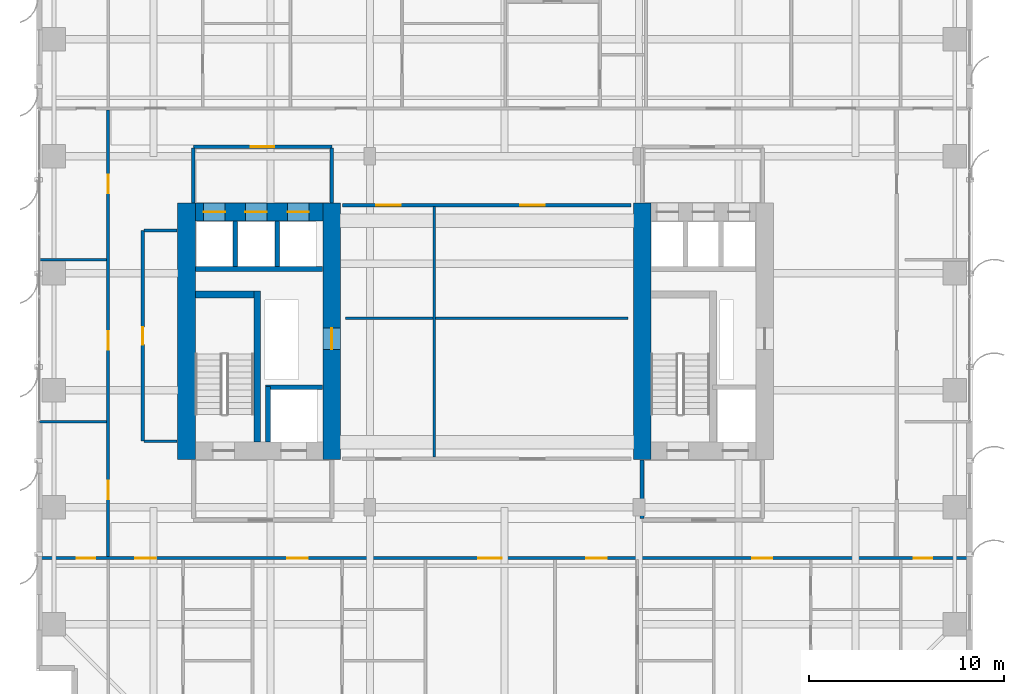
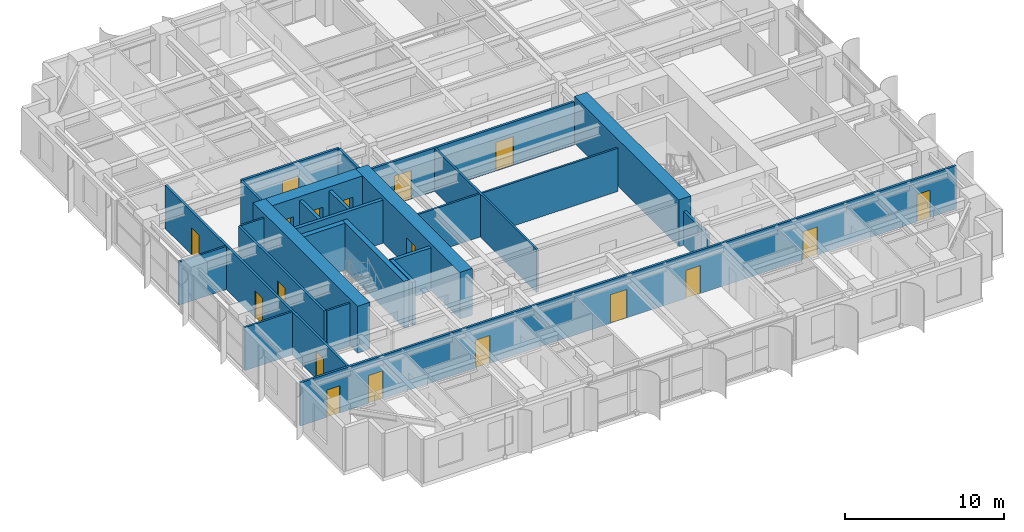
# One storey, part 16 of 23: 25 walls, 18 doors, 18 openings.
"""IFC4 building model written with IfcOpenShell, lengths in metres."""

import ifcopenshell
import ifcopenshell.guid

model = None  # the IFC model being written
_history = None  # IfcOwnerHistory: only IFC2X3 demands one
_inside = {}  # id of a spatial element -> (the spatial element, [elements in it])
_under = {}  # id of a project, library or spatial element -> (it, [spatial elements below it])
_declared = {}  # id of a project -> (the project, [libraries it declares])
_typed = {}  # id of a type object -> (the type object, [elements of that type])
_made_of = {}  # id of a material, layer set ... -> (it, [elements and type objects made of it])


def new_model(schema):
    """Start an empty IFC model of exactly this schema.

    Asked for "IFC4X3", IfcOpenShell would pick the latest addendum, in which some entities
    have other attributes; the version numbers below select the first issue.
    IFC2X3 requires an IfcOwnerHistory on every rooted entity: one is made here for all.
    """
    global model, _history
    if schema == "IFC4X3":
        model = ifcopenshell.file(schema_version=(4, 3, 0, 0))
    else:
        model = ifcopenshell.file(schema=schema)
    _inside.clear()
    _under.clear()
    _declared.clear()
    _typed.clear()
    _made_of.clear()
    _history = None
    if model.schema == "IFC2X3":
        org = make("IfcOrganization", Name="unknown")
        user = make(
            "IfcPersonAndOrganization",
            ThePerson=make("IfcPerson", FamilyName="unknown"),
            TheOrganization=org,
        )
        app = make(
            "IfcApplication",
            ApplicationDeveloper=org,
            Version="unknown",
            ApplicationFullName="unknown",
            ApplicationIdentifier="unknown",
        )
        _history = make(
            "IfcOwnerHistory",
            OwningUser=user,
            OwningApplication=app,
            ChangeAction="ADDED",
            CreationDate=0,
        )
    return model


def make(cls, **values):
    """One entity of the class cls with the attributes given. An attribute that is None is left unset."""
    return model.create_entity(
        cls, **{name: value for name, value in values.items() if value is not None}
    )


def rooted(cls, **values):
    """An entity with a GlobalId (a new one), such as an element, a storey or a relation."""
    return make(cls, GlobalId=ifcopenshell.guid.new(), OwnerHistory=_history, **values)


def si_unit(unit_type, name, prefix=None):
    """IfcSIUnit, for example si_unit("LENGTHUNIT", "METRE", prefix="MILLI")."""
    return make("IfcSIUnit", UnitType=unit_type, Prefix=prefix, Name=name)


def assignment(units):
    """IfcUnitAssignment: the units of a project."""
    return None if units is None else make("IfcUnitAssignment", Units=units)


def point(xyz):
    """IfcCartesianPoint."""
    return None if xyz is None else make("IfcCartesianPoint", Coordinates=xyz)


def direction(xyz):
    """IfcDirection."""
    return None if xyz is None else make("IfcDirection", DirectionRatios=xyz)


def frame(location, z_axis=None, x_axis=None):
    """IfcAxis2Placement3D, a coordinate frame: its origin and axes. An axis left out is left unset."""
    return make(
        "IfcAxis2Placement3D",
        Location=point(location),
        Axis=direction(z_axis),
        RefDirection=direction(x_axis),
    )


def frame_2d(location, x_axis=None):
    """IfcAxis2Placement2D, a coordinate frame in the plane: its origin and x axis."""
    return make(
        "IfcAxis2Placement2D", Location=point(location), RefDirection=direction(x_axis)
    )


def origin():
    """The frame at (0, 0, 0) with its axes left unset."""
    return frame((0.0, 0.0, 0.0))


def place(relative_to, where):
    """IfcLocalPlacement: puts the frame where relative to a parent placement (None: the world)."""
    return make(
        "IfcLocalPlacement", PlacementRelTo=relative_to, RelativePlacement=where
    )


def context(
    kind, dimensions, precision=None, world=None, true_north=None, identifier=None
):
    """IfcGeometricRepresentationContext, for example the 3D "Model" context."""
    return make(
        "IfcGeometricRepresentationContext",
        ContextIdentifier=identifier,
        ContextType=kind,
        CoordinateSpaceDimension=dimensions,
        Precision=precision,
        WorldCoordinateSystem=world,
        TrueNorth=true_north,
    )


def subcontext(parent, identifier, kind, view, scale=None):
    """IfcGeometricRepresentationSubContext, for example "Body" below "Model"."""
    return make(
        "IfcGeometricRepresentationSubContext",
        ContextIdentifier=identifier,
        ContextType=kind,
        ParentContext=parent,
        TargetScale=scale,
        TargetView=view,
    )


def project(units=None, contexts=None):
    """IfcProject with its units and contexts."""
    return rooted(
        "IfcProject",
        Name="project",
        RepresentationContexts=contexts,
        UnitsInContext=assignment(units),
    )


def spatial(cls, under=None, at=None, **own):
    """A site, building, storey or space (cls), placed at a placement, below another one or the project."""
    s = rooted(cls, ObjectPlacement=at, **own)
    if under is not None:
        _under.setdefault(under.id(), (under, []))[1].append(s)
    return s


def profile(cls, at=None, kind="AREA", **sizes):
    """A parametric profile (cls). Its sizes go by their IFC names, for example OverallWidth=200.0."""
    return make(cls, ProfileType=kind, Position=at, **sizes)


def rectangle(**sizes):
    """IfcRectangleProfileDef."""
    return profile("IfcRectangleProfileDef", **sizes)


def extrude(swept, where, along, depth):
    """IfcExtrudedAreaSolid: the profile swept, set in the frame where, extruded along a direction by depth."""
    return make(
        "IfcExtrudedAreaSolid",
        SweptArea=swept,
        Position=where,
        ExtrudedDirection=direction(along),
        Depth=depth,
    )


def shape(context_of_items, identifier, shape_type, items):
    """IfcShapeRepresentation: the items that make up one representation, for example the "Body"."""
    return make(
        "IfcShapeRepresentation",
        ContextOfItems=context_of_items,
        RepresentationIdentifier=identifier,
        RepresentationType=shape_type,
        Items=items,
    )


def source(mapping_origin, context_of_items, identifier, shape_type, items):
    """IfcRepresentationMap: a shape defined once, which mapped items show again and again."""
    return make(
        "IfcRepresentationMap",
        MappingOrigin=mapping_origin,
        MappedRepresentation=shape(context_of_items, identifier, shape_type, items),
    )


def transform(
    local_origin,
    x_axis=None,
    y_axis=None,
    z_axis=None,
    scale=None,
    scale2=None,
    scale3=None,
    uniform=True,
):
    """IfcCartesianTransformationOperator3D, or its non-uniform kind. x_axis, y_axis, z_axis: its Axis1, 2, 3."""
    if uniform:
        return make(
            "IfcCartesianTransformationOperator3D",
            Axis1=direction(x_axis),
            Axis2=direction(y_axis),
            LocalOrigin=point(local_origin),
            Scale=scale,
            Axis3=direction(z_axis),
        )
    return make(
        "IfcCartesianTransformationOperator3DnonUniform",
        Axis1=direction(x_axis),
        Axis2=direction(y_axis),
        LocalOrigin=point(local_origin),
        Scale=scale,
        Axis3=direction(z_axis),
        Scale2=scale2,
        Scale3=scale3,
    )


def mapped(mapping_source, mapping_target):
    """IfcMappedItem: shows the shape of a source again, moved by a transform."""
    return make(
        "IfcMappedItem", MappingSource=mapping_source, MappingTarget=mapping_target
    )


def material(Name=None, Category=None):
    """IfcMaterial."""
    return make("IfcMaterial", Name=Name, Category=Category)


def layer(
    of_material, thickness, ventilated=None, Name=None, Category=None, Priority=None
):
    """IfcMaterialLayer: one layer of a wall or slab, of a material (None: an air gap)."""
    return make(
        "IfcMaterialLayer",
        Material=of_material,
        LayerThickness=thickness,
        IsVentilated=ventilated,
        Name=Name,
        Category=Category,
        Priority=Priority,
    )


def layer_set(layers, Name=None):
    """IfcMaterialLayerSet."""
    return make("IfcMaterialLayerSet", MaterialLayers=layers, LayerSetName=Name)


def made_of(thing, what):
    """Note that an element or type object is made of a material, layer set ...; save() writes the relation."""
    if what is not None:
        _made_of.setdefault(what.id(), (what, []))[1].append(thing)
    return thing


def type_object(cls, material=None, **own):
    """A type object (cls), such as IfcWallType, which elements share."""
    return made_of(rooted(cls, **own), material)


def element(
    cls,
    number,
    at=None,
    inside=None,
    cuts=None,
    type_object=None,
    material=None,
    context=None,
    identifier="Body",
    shape_type=None,
    held_by="IfcProductDefinitionShape",
    body=None,
    shapes=None,
    **own,
):
    """One element of the class cls, such as IfcWall. Its Tag is "e" and its number.

    at: its placement. inside: the storey or other place that contains it. cuts: it is an
    opening in that element (IfcRelVoidsElement). A single representation is given by context,
    identifier, shape_type and body (its items); several are given by shapes. held_by: the class
    of the entity that holds the representations. save() writes the other relations.
    """
    e = rooted(cls, Tag="e%d" % number, ObjectPlacement=at, **own)
    if body is not None:
        shapes = [shape(context, identifier, shape_type, body)]
    if shapes is not None:
        e.Representation = make(held_by, Representations=shapes)
    if inside is not None:
        _inside.setdefault(inside.id(), (inside, []))[1].append(e)
    if cuts is not None:
        rooted(
            "IfcRelVoidsElement", RelatingBuildingElement=cuts, RelatedOpeningElement=e
        )
    if type_object is not None:
        _typed.setdefault(type_object.id(), (type_object, []))[1].append(e)
    return made_of(e, material)


def fill(opening, filler):
    """IfcRelFillsElement: the door or window that sits in an opening."""
    return rooted(
        "IfcRelFillsElement",
        RelatingOpeningElement=opening,
        RelatedBuildingElement=filler,
    )


def aggregate(whole, parts):
    """IfcRelAggregates: a whole, such as a stair, and the parts it consists of."""
    return rooted("IfcRelAggregates", RelatingObject=whole, RelatedObjects=parts)


def save(model, path):
    """Write the relations noted so far, then the file.

    IfcRelAggregates (storeys below a building ...), IfcRelContainedInSpatialStructure (elements
    in a storey), IfcRelDefinesByType, IfcRelAssociatesMaterial and IfcRelDeclares: one each for
    every whole, place, type object, material and project.
    """
    for whole, parts in _under.values():
        aggregate(whole, parts)
    for where, things in _inside.values():
        rooted(
            "IfcRelContainedInSpatialStructure",
            RelatedElements=things,
            RelatingStructure=where,
        )
    for kind, things in _typed.values():
        rooted("IfcRelDefinesByType", RelatedObjects=things, RelatingType=kind)
    for what, things in _made_of.values():
        rooted("IfcRelAssociatesMaterial", RelatedObjects=things, RelatingMaterial=what)
    for by, libraries in _declared.values():
        rooted("IfcRelDeclares", RelatingContext=by, RelatedDefinitions=libraries)
    model.write(path)


model = new_model("IFC4")

# Units and contexts
model_context = context("Model", 3, precision=1e-05, world=origin(), true_north=direction((0.0, 1.0)))
body_context = subcontext(model_context, "Body", "Model", "MODEL_VIEW")
ifc_project = project(units=[si_unit("LENGTHUNIT", "METRE"), si_unit("AREAUNIT", "SQUARE_METRE"), si_unit("VOLUMEUNIT", "CUBIC_METRE"), si_unit("PLANEANGLEUNIT", "RADIAN"), si_unit("MASSUNIT", "GRAM", prefix="KILO")], contexts=[model_context])

# Site, building, storey
site_placement = place(None, origin())
site = spatial("IfcSite", under=ifc_project, at=site_placement, CompositionType="ELEMENT")
building_placement = place(site_placement, origin())
building = spatial("IfcBuilding", under=site, at=building_placement, Name="Khoralis Quay Care Tower", CompositionType="ELEMENT")
storey_placement = place(building_placement, frame((0.0, 0.0, 36.89990234375)))
storey = spatial("IfcBuildingStorey", under=building, at=storey_placement, Name="L09", CompositionType="ELEMENT", Elevation=36.89990234375)

# Walls
ifc_material_1 = material(Name="Gypsum plasterboard on acoustic metal stud")
ifc_layer_1 = layer(ifc_material_1, 0.199951171875)
ifc_layer_set_1 = layer_set([ifc_layer_1], Name="Gypsum plasterboard on acoustic metal stud")
wall_type_1 = type_object("IfcWallType", Name="WL-COMP-200", PredefinedType="PARTITIONING", material=ifc_layer_set_1)
wall_1_placement = place(storey_placement, frame((31.050048828125, 11.445068359375, 0.0), z_axis=(0.0, 0.0, 1.0), x_axis=(0.0, 1.0, 0.0)))
element("IfcWall", 1, at=wall_1_placement, inside=storey, type_object=wall_type_1, Name="L09 East Firefighting Lobby West Wall", PredefinedType="PARTITIONING", context=body_context, shape_type="SweptSolid", body=[
    extrude(rectangle(XDim=2.98486328125, YDim=0.199951171875, at=frame_2d((1.492431640625, 0.0))), origin(), (0.0, 0.0, 1.0), 2.625),
])
ifc_material_2 = material(Name="Concrete C80/95", Category="concrete")
ifc_layer_2 = layer(ifc_material_2, 0.89990234375)
ifc_layer_set_2 = layer_set([ifc_layer_2], Name="Concrete C80/95")
wall_type_2 = type_object("IfcWallType", Name="WL-CORE-900", PredefinedType="SHEAR", material=ifc_layer_set_2)
wall_2_placement = place(storey_placement, frame((7.699951171875, 14.449951171875, 0.0), z_axis=(0.0, 0.0, 1.0), x_axis=(0.0, 1.0, 0.0)))
element("IfcWall", 2, at=wall_2_placement, inside=storey, type_object=wall_type_2, Name="L09 WCORE West Shear Wall", PredefinedType="SHEAR", context=body_context, shape_type="SweptSolid", body=[
    extrude(rectangle(XDim=13.150146484375, YDim=0.89990234375, at=frame_2d((6.5751953125, 0.0))), origin(), (0.0, 0.0, 1.0), 3.60009765625),
])

# Wall, opening, door
wall_3_placement = place(storey_placement, frame((15.14990234375, 14.449951171875, 0.0), z_axis=(0.0, 0.0, 1.0), x_axis=(0.0, 1.0, 0.0)))
wall_3 = element("IfcWall", 3, at=wall_3_placement, inside=storey, type_object=wall_type_2, Name="L09 WCORE East Shear Wall", PredefinedType="SHEAR", context=body_context, shape_type="SweptSolid", body=[
    extrude(rectangle(XDim=13.150146484375, YDim=0.89990234375, at=frame_2d((6.5751953125, 0.0))), origin(), (0.0, 0.0, 1.0), 3.60009765625),
])
opening_1_placement = place(wall_3_placement, frame((5.64990234375, 0.0, 0.0)))
opening_1 = element("IfcOpeningElement", 4, at=opening_1_placement, cuts=wall_3, Name="Opening SD1", PredefinedType="OPENING", context=body_context, shape_type="SweptSolid", body=[
    extrude(rectangle(XDim=1.10009765625, YDim=2.199951171875, at=frame_2d((0.550048828125, 1.10009765625))), frame((0.0, 0.4599609375, 0.0), z_axis=(0.0, -1.0, 0.0), x_axis=(1.0, 0.0, 0.0)), (0.0, 0.0, 1.0), 0.919921875),
])
ifc_material_3 = material(Name="Fire-rated painted steel", Category="steel")
door_type_1 = type_object("IfcDoorType", Name="DR-STAIR-1100X2200", OperationType="NOTDEFINED", PredefinedType="DOOR", material=ifc_material_3)
shared_shape_1 = source(origin(), body_context, "Body", "SweptSolid", [
    extrude(rectangle(XDim=1.10009765625, YDim=2.199951171875, at=frame_2d((0.550048828125, 1.10009765625))), frame((0.0, 0.02490234375, 0.0), z_axis=(0.0, -1.0, 0.0), x_axis=(1.0, 0.0, 0.0)), (0.0, 0.0, 1.0), 0.050048828125),
])
door_1_placement = place(opening_1_placement, origin())
door_1 = element("IfcDoor", 5, at=door_1_placement, inside=storey, type_object=door_type_1, Name="L09 West MEP Riser Door", OperationType="SINGLE_SWING_LEFT", OverallHeight=2.199951171875, OverallWidth=1.10009765625, PredefinedType="DOOR", context=body_context, shape_type="MappedRepresentation", body=[
    mapped(shared_shape_1, transform((0.0, 0.0, 0.0), scale=1.0)),
])
fill(opening_1, door_1)

# Wall, openings, doors
wall_4_placement = place(storey_placement, frame((8.14990234375, 27.14990234375, 0.0), z_axis=(0.0, 0.0, 1.0), x_axis=(1.0, 0.0, 0.0)))
wall_4 = element("IfcWall", 6, at=wall_4_placement, inside=storey, type_object=wall_type_2, Name="L09 WCORE North Shear Wall", PredefinedType="SHEAR", context=body_context, shape_type="SweptSolid", body=[
    extrude(rectangle(XDim=6.550048828125, YDim=0.89990234375, at=frame_2d((3.27490234375, 0.0))), origin(), (0.0, 0.0, 1.0), 3.60009765625),
])
opening_2_placement = place(wall_4_placement, frame((0.429931640625, 0.0, 0.0)))
opening_2 = element("IfcOpeningElement", 7, at=opening_2_placement, cuts=wall_4, Name="Opening LD1", PredefinedType="OPENING", context=body_context, shape_type="SweptSolid", body=[
    extrude(rectangle(XDim=1.10009765625, YDim=2.199951171875, at=frame_2d((0.550048828125, 1.10009765625))), frame((0.0, 0.4599609375, 0.0), z_axis=(0.0, -1.0, 0.0), x_axis=(1.0, 0.0, 0.0)), (0.0, 0.0, 1.0), 0.919921875),
])
opening_3_placement = place(wall_4_placement, frame((2.570068359375, 0.0, 0.0)))
opening_3 = element("IfcOpeningElement", 8, at=opening_3_placement, cuts=wall_4, Name="Opening LD1", PredefinedType="OPENING", context=body_context, shape_type="SweptSolid", body=[
    extrude(rectangle(XDim=1.10009765625, YDim=2.199951171875, at=frame_2d((0.550048828125, 1.10009765625))), frame((0.0, 0.4599609375, 0.0), z_axis=(0.0, -1.0, 0.0), x_axis=(1.0, 0.0, 0.0)), (0.0, 0.0, 1.0), 0.919921875),
])
opening_4_placement = place(wall_4_placement, frame((4.72998046875, 0.0, 0.0)))
opening_4 = element("IfcOpeningElement", 9, at=opening_4_placement, cuts=wall_4, Name="Opening LD1", PredefinedType="OPENING", context=body_context, shape_type="SweptSolid", body=[
    extrude(rectangle(XDim=1.10009765625, YDim=2.199951171875, at=frame_2d((0.550048828125, 1.10009765625))), frame((0.0, 0.4599609375, 0.0), z_axis=(0.0, -1.0, 0.0), x_axis=(1.0, 0.0, 0.0)), (0.0, 0.0, 1.0), 0.919921875),
])
ifc_material_4 = material(Name="Brushed stainless steel", Category="steel")
door_type_2 = type_object("IfcDoorType", Name="DR-LIFT-1100X2200", OperationType="SLIDING_TO_LEFT", PredefinedType="DOOR", material=ifc_material_4)
shared_shape_2 = source(origin(), body_context, "Body", "SweptSolid", [
    extrude(rectangle(XDim=1.10009765625, YDim=2.199951171875, at=frame_2d((0.550048828125, 1.10009765625))), frame((0.0, 0.02490234375, 0.0), z_axis=(0.0, -1.0, 0.0), x_axis=(1.0, 0.0, 0.0)), (0.0, 0.0, 1.0), 0.050048828125),
])
door_2_placement = place(opening_2_placement, origin())
door_2 = element("IfcDoor", 10, at=door_2_placement, inside=storey, type_object=door_type_2, Name="L09 Lift PLL1 Landing Door", OperationType="SLIDING_TO_LEFT", OverallHeight=2.199951171875, OverallWidth=1.10009765625, PredefinedType="DOOR", context=body_context, shape_type="MappedRepresentation", body=[
    mapped(shared_shape_2, transform((0.0, 0.0, 0.0), scale=1.0)),
])
fill(opening_2, door_2)
door_3_placement = place(opening_3_placement, origin())
door_3 = element("IfcDoor", 11, at=door_3_placement, inside=storey, type_object=door_type_2, Name="L09 Lift PLM1 Landing Door", OperationType="SLIDING_TO_LEFT", OverallHeight=2.199951171875, OverallWidth=1.10009765625, PredefinedType="DOOR", context=body_context, shape_type="MappedRepresentation", body=[
    mapped(shared_shape_2, transform((0.0, 0.0, 0.0), scale=1.0)),
])
fill(opening_3, door_3)
door_4_placement = place(opening_4_placement, origin())
door_4 = element("IfcDoor", 12, at=door_4_placement, inside=storey, type_object=door_type_2, Name="L09 Lift PLH1 Landing Door", OperationType="SLIDING_TO_LEFT", OverallHeight=2.199951171875, OverallWidth=1.10009765625, PredefinedType="DOOR", context=body_context, shape_type="MappedRepresentation", body=[
    mapped(shared_shape_2, transform((0.0, 0.0, 0.0), scale=1.0)),
])
fill(opening_4, door_4)

# Wall
wall_5_placement = place(storey_placement, frame((31.070068359375, 14.449951171875, 0.0), z_axis=(0.0, 0.0, 1.0), x_axis=(0.0, 1.0, 0.0)))
element("IfcWall", 13, at=wall_5_placement, inside=storey, type_object=wall_type_2, Name="L09 ECORE West Shear Wall", PredefinedType="SHEAR", context=body_context, shape_type="SweptSolid", body=[
    extrude(rectangle(XDim=13.150146484375, YDim=0.89990234375, at=frame_2d((6.5751953125, 0.0))), origin(), (0.0, 0.0, 1.0), 3.60009765625),
])

# Wall, opening, door
ifc_layer_3 = layer(ifc_material_1, 0.1650390625)
ifc_layer_set_3 = layer_set([ifc_layer_3], Name="Gypsum plasterboard on acoustic metal stud")
wall_type_3 = type_object("IfcWallType", Name="WL-CORR-165", PredefinedType="PARTITIONING", material=ifc_layer_set_3)
wall_6_placement = place(storey_placement, frame((8.050048828125, 30.5, 0.0), z_axis=(0.0, 0.0, 1.0), x_axis=(1.0, 0.0, 0.0)))
wall_6 = element("IfcWall", 14, at=wall_6_placement, inside=storey, type_object=wall_type_3, Name="L09 West Lift Lobby North Wall", PredefinedType="PARTITIONING", context=body_context, shape_type="SweptSolid", body=[
    extrude(rectangle(XDim=7.099853515625, YDim=0.1650390625, at=frame_2d((3.5498046875, 0.0))), origin(), (0.0, 0.0, 1.0), 3.320068359375),
])
opening_5_placement = place(wall_6_placement, frame((2.949951171875, 0.0, 0.0)))
opening_5 = element("IfcOpeningElement", 15, at=opening_5_placement, cuts=wall_6, Name="Opening FD1", PredefinedType="OPENING", context=body_context, shape_type="SweptSolid", body=[
    extrude(rectangle(XDim=1.199951171875, YDim=2.199951171875, at=frame_2d((0.60009765625, 1.10009765625))), frame((0.0, 0.092529296875, 0.0), z_axis=(0.0, -1.0, 0.0), x_axis=(1.0, 0.0, 0.0)), (0.0, 0.0, 1.0), 0.18505859375),
])
door_type_3 = type_object("IfcDoorType", Name="DR-FFL-1200X2200", OperationType="NOTDEFINED", PredefinedType="DOOR", material=ifc_material_3)
shared_shape_3 = source(origin(), body_context, "Body", "SweptSolid", [
    extrude(rectangle(XDim=1.199951171875, YDim=2.199951171875, at=frame_2d((0.60009765625, 1.10009765625))), frame((0.0, 0.02490234375, 0.0), z_axis=(0.0, -1.0, 0.0), x_axis=(1.0, 0.0, 0.0)), (0.0, 0.0, 1.0), 0.050048828125),
])
door_5_placement = place(opening_5_placement, origin())
door_5 = element("IfcDoor", 16, at=door_5_placement, inside=storey, type_object=door_type_3, Name="L09 West Lift Lobby Double Door", OperationType="DOUBLE_DOOR_SINGLE_SWING", OverallHeight=2.199951171875, OverallWidth=1.199951171875, PredefinedType="DOOR", context=body_context, shape_type="MappedRepresentation", body=[
    mapped(shared_shape_3, transform((0.0, 0.0, 0.0), scale=1.0)),
])
fill(opening_5, door_5)

# Walls
for number, where, z_axis, x_axis, name in (
    (17, (8.050048828125, 27.6201171875, 0.0), (0.0, 0.0, 1.0), (0.0, 1.0, 0.0), "L09 West Lift Lobby West Wall"),
    (18, (15.14990234375, 27.6201171875, 0.0), (0.0, 0.0, 1.0), (0.0, 1.0, 0.0), "L09 West Lift Lobby East Wall"),
):
    element("IfcWall", number, at=place(storey_placement, frame(where, z_axis=z_axis, x_axis=x_axis)), inside=storey, type_object=wall_type_3, Name=name, PredefinedType="PARTITIONING", context=body_context, shape_type="SweptSolid", body=[
        extrude(rectangle(XDim=2.802490234375, YDim=0.1650390625, at=frame_2d((1.4013671875, 0.0))), origin(), (0.0, 0.0, 1.0), 3.320068359375),
    ])

# Wall, opening, door
wall_7_placement = place(storey_placement, frame((5.449951171875, 15.39990234375, 0.0), z_axis=(0.0, 0.0, 1.0), x_axis=(0.0, 1.0, 0.0)))
wall_7 = element("IfcWall", 19, at=wall_7_placement, inside=storey, type_object=wall_type_3, Name="L09 West Core Service Flank Wall", PredefinedType="PARTITIONING", context=body_context, shape_type="SweptSolid", body=[
    extrude(rectangle(XDim=10.800048828125, YDim=0.1650390625, at=frame_2d((5.39990234375, 0.0))), origin(), (0.0, 0.0, 1.0), 3.320068359375),
])
opening_6_placement = place(wall_7_placement, frame((4.949951171875, 0.0, 0.0)))
opening_6 = element("IfcOpeningElement", 20, at=opening_6_placement, cuts=wall_7, Name="Opening WD1", PredefinedType="OPENING", context=body_context, shape_type="SweptSolid", body=[
    extrude(rectangle(XDim=0.89990234375, YDim=2.10009765625, at=frame_2d((0.449951171875, 1.050048828125))), frame((0.0, 0.092529296875, 0.0), z_axis=(0.0, -1.0, 0.0), x_axis=(1.0, 0.0, 0.0)), (0.0, 0.0, 1.0), 0.18505859375),
])
ifc_material_5 = material(Name="Acoustic hardwood timber", Category="wood")
door_type_4 = type_object("IfcDoorType", Name="DR-BATH-900X2100", OperationType="NOTDEFINED", PredefinedType="DOOR", material=ifc_material_5)
shared_shape_4 = source(origin(), body_context, "Body", "SweptSolid", [
    extrude(rectangle(XDim=0.89990234375, YDim=2.10009765625, at=frame_2d((0.449951171875, 1.050048828125))), frame((0.0, 0.02490234375, 0.0), z_axis=(0.0, -1.0, 0.0), x_axis=(1.0, 0.0, 0.0)), (0.0, 0.0, 1.0), 0.050048828125),
])
door_6_placement = place(opening_6_placement, frame((0.89990234375, 0.0, 0.0), z_axis=(0.0, 0.0, 1.0), x_axis=(-1.0, 0.0, 0.0)))
door_6 = element("IfcDoor", 21, at=door_6_placement, inside=storey, type_object=door_type_4, Name="L09 Housekeeping & Public Accessible WC Door", OperationType="SINGLE_SWING_RIGHT", OverallHeight=2.10009765625, OverallWidth=0.89990234375, PredefinedType="DOOR", context=body_context, shape_type="MappedRepresentation", body=[
    mapped(shared_shape_4, transform((0.0, 0.0, 0.0), scale=1.0)),
])
fill(opening_6, door_6)

# Wall, openings, doors
wall_8_placement = place(storey_placement, frame((0.14501953125, 9.39990234375, 0.0), z_axis=(0.0, 0.0, 1.0), x_axis=(1.0, 0.0, 0.0)))
wall_8 = element("IfcWall", 22, at=wall_8_placement, inside=storey, type_object=wall_type_3, Name="L09 South Main Corridor Wall", PredefinedType="PARTITIONING", context=body_context, shape_type="SweptSolid", body=[
    extrude(rectangle(XDim=47.7099609375, YDim=0.1650390625, at=frame_2d((23.85498046875, 0.0))), origin(), (0.0, 0.0, 1.0), 3.320068359375),
])
opening_7_placement = place(wall_8_placement, frame((4.93408203125, 0.0, 0.0)))
opening_7 = element("IfcOpeningElement", 23, at=opening_7_placement, cuts=wall_8, Name="Opening UD1", PredefinedType="OPENING", context=body_context, shape_type="SweptSolid", body=[
    extrude(rectangle(XDim=1.050048828125, YDim=2.14990234375, at=frame_2d((0.52490234375, 1.074951171875))), frame((0.0, 0.092529296875, 0.0), z_axis=(0.0, -1.0, 0.0), x_axis=(1.0, 0.0, 0.0)), (0.0, 0.0, 1.0), 0.18505859375),
])
opening_8_placement = place(wall_8_placement, frame((12.71337890625, 0.0, 0.0)))
opening_8 = element("IfcOpeningElement", 24, at=opening_8_placement, cuts=wall_8, Name="Opening UD1", PredefinedType="OPENING", context=body_context, shape_type="SweptSolid", body=[
    extrude(rectangle(XDim=1.050048828125, YDim=2.14990234375, at=frame_2d((0.52490234375, 1.074951171875))), frame((0.0, 0.092529296875, 0.0), z_axis=(0.0, -1.0, 0.0), x_axis=(1.0, 0.0, 0.0)), (0.0, 0.0, 1.0), 0.18505859375),
])
opening_9_placement = place(wall_8_placement, frame((22.52490234375, 0.0, 0.0)))
opening_9 = element("IfcOpeningElement", 25, at=opening_9_placement, cuts=wall_8, Name="Opening FD1", PredefinedType="OPENING", context=body_context, shape_type="SweptSolid", body=[
    extrude(rectangle(XDim=1.199951171875, YDim=2.199951171875, at=frame_2d((0.60009765625, 1.10009765625))), frame((0.0, 0.092529296875, 0.0), z_axis=(0.0, -1.0, 0.0), x_axis=(1.0, 0.0, 0.0)), (0.0, 0.0, 1.0), 0.18505859375),
])
opening_10_placement = place(wall_8_placement, frame((28.0439453125, 0.0, 0.0)))
opening_10 = element("IfcOpeningElement", 26, at=opening_10_placement, cuts=wall_8, Name="Opening UD1", PredefinedType="OPENING", context=body_context, shape_type="SweptSolid", body=[
    extrude(rectangle(XDim=1.050048828125, YDim=2.14990234375, at=frame_2d((0.52490234375, 1.074951171875))), frame((0.0, 0.092529296875, 0.0), z_axis=(0.0, -1.0, 0.0), x_axis=(1.0, 0.0, 0.0)), (0.0, 0.0, 1.0), 0.18505859375),
])
opening_11_placement = place(wall_8_placement, frame((36.553466796875, 0.0, 0.0)))
opening_11 = element("IfcOpeningElement", 27, at=opening_11_placement, cuts=wall_8, Name="Opening UD1", PredefinedType="OPENING", context=body_context, shape_type="SweptSolid", body=[
    extrude(rectangle(XDim=1.050048828125, YDim=2.14990234375, at=frame_2d((0.52490234375, 1.074951171875))), frame((0.0, 0.092529296875, 0.0), z_axis=(0.0, -1.0, 0.0), x_axis=(1.0, 0.0, 0.0)), (0.0, 0.0, 1.0), 0.18505859375),
])
opening_12_placement = place(wall_8_placement, frame((1.919921875, 0.0, 0.0)))
opening_12 = element("IfcOpeningElement", 28, at=opening_12_placement, cuts=wall_8, Name="Opening ID1", PredefinedType="OPENING", context=body_context, shape_type="SweptSolid", body=[
    extrude(rectangle(XDim=0.949951171875, YDim=2.10009765625, at=frame_2d((0.47509765625, 1.050048828125))), frame((0.0, 0.092529296875, 0.0), z_axis=(0.0, -1.0, 0.0), x_axis=(1.0, 0.0, 0.0)), (0.0, 0.0, 1.0), 0.18505859375),
])
opening_13_placement = place(wall_8_placement, frame((44.840087890625, 0.0, 0.0)))
opening_13 = element("IfcOpeningElement", 29, at=opening_13_placement, cuts=wall_8, Name="Opening ID1", PredefinedType="OPENING", context=body_context, shape_type="SweptSolid", body=[
    extrude(rectangle(XDim=0.949951171875, YDim=2.10009765625, at=frame_2d((0.47509765625, 1.050048828125))), frame((0.0, 0.092529296875, 0.0), z_axis=(0.0, -1.0, 0.0), x_axis=(1.0, 0.0, 0.0)), (0.0, 0.0, 1.0), 0.18505859375),
])
door_7_placement = place(opening_9_placement, frame((1.199951171875, 0.0, 0.0), z_axis=(0.0, 0.0, 1.0), x_axis=(-1.0, 0.0, 0.0)))
door_7 = element("IfcDoor", 30, at=door_7_placement, inside=storey, type_object=door_type_3, Name="L09 Resident Communal Day Lounge Door", OperationType="DOUBLE_DOOR_SINGLE_SWING", OverallHeight=2.199951171875, OverallWidth=1.199951171875, PredefinedType="DOOR", context=body_context, shape_type="MappedRepresentation", body=[
    mapped(shared_shape_3, transform((0.0, 0.0, 0.0), scale=1.0)),
])
fill(opening_9, door_7)
door_type_5 = type_object("IfcDoorType", Name="DR-ROOM-950X2100", OperationType="NOTDEFINED", PredefinedType="DOOR", material=ifc_material_5)
shared_shape_5 = source(origin(), body_context, "Body", "SweptSolid", [
    extrude(rectangle(XDim=0.949951171875, YDim=2.10009765625, at=frame_2d((0.47509765625, 1.050048828125))), frame((0.0, 0.02490234375, 0.0), z_axis=(0.0, -1.0, 0.0), x_axis=(1.0, 0.0, 0.0)), (0.0, 0.0, 1.0), 0.050048828125),
])
door_8_placement = place(opening_12_placement, frame((0.949951171875, 0.0, 0.0), z_axis=(0.0, 0.0, 1.0), x_axis=(-1.0, 0.0, 0.0)))
door_8 = element("IfcDoor", 31, at=door_8_placement, inside=storey, type_object=door_type_5, Name="L09 SW Corner Door", OperationType="SINGLE_SWING_LEFT", OverallHeight=2.10009765625, OverallWidth=0.949951171875, PredefinedType="DOOR", context=body_context, shape_type="MappedRepresentation", body=[
    mapped(shared_shape_5, transform((0.0, 0.0, 0.0), scale=1.0)),
])
fill(opening_12, door_8)
door_9_placement = place(opening_13_placement, frame((0.949951171875, 0.0, 0.0), z_axis=(0.0, 0.0, 1.0), x_axis=(-1.0, 0.0, 0.0)))
door_9 = element("IfcDoor", 32, at=door_9_placement, inside=storey, type_object=door_type_5, Name="L09 SE Corner Door", OperationType="SINGLE_SWING_RIGHT", OverallHeight=2.10009765625, OverallWidth=0.949951171875, PredefinedType="DOOR", context=body_context, shape_type="MappedRepresentation", body=[
    mapped(shared_shape_5, transform((0.0, 0.0, 0.0), scale=1.0)),
])
fill(opening_13, door_9)
door_type_6 = type_object("IfcDoorType", Name="DR-SUITE-1050X2150", OperationType="NOTDEFINED", PredefinedType="DOOR", material=ifc_material_5)
shared_shape_6 = source(origin(), body_context, "Body", "SweptSolid", [
    extrude(rectangle(XDim=1.050048828125, YDim=2.14990234375, at=frame_2d((0.52490234375, 1.074951171875))), frame((0.0, 0.02490234375, 0.0), z_axis=(0.0, -1.0, 0.0), x_axis=(1.0, 0.0, 0.0)), (0.0, 0.0, 1.0), 0.050048828125),
])
door_10_placement = place(opening_7_placement, frame((1.050048828125, 0.0, 0.0), z_axis=(0.0, 0.0, 1.0), x_axis=(-1.0, 0.0, 0.0)))
door_10 = element("IfcDoor", 33, at=door_10_placement, inside=storey, type_object=door_type_6, Name="L09 Apartment SB0 Entrance Door", OperationType="SINGLE_SWING_LEFT", OverallHeight=2.14990234375, OverallWidth=1.050048828125, PredefinedType="DOOR", context=body_context, shape_type="MappedRepresentation", body=[
    mapped(shared_shape_6, transform((0.0, 0.0, 0.0), scale=1.0)),
])
fill(opening_7, door_10)
door_11_placement = place(opening_8_placement, frame((1.050048828125, 0.0, 0.0), z_axis=(0.0, 0.0, 1.0), x_axis=(-1.0, 0.0, 0.0)))
door_11 = element("IfcDoor", 34, at=door_11_placement, inside=storey, type_object=door_type_6, Name="L09 Apartment SB1 Entrance Door", OperationType="SINGLE_SWING_RIGHT", OverallHeight=2.14990234375, OverallWidth=1.050048828125, PredefinedType="DOOR", context=body_context, shape_type="MappedRepresentation", body=[
    mapped(shared_shape_6, transform((0.0, 0.0, 0.0), scale=1.0)),
])
fill(opening_8, door_11)
door_12_placement = place(opening_10_placement, frame((1.050048828125, 0.0, 0.0), z_axis=(0.0, 0.0, 1.0), x_axis=(-1.0, 0.0, 0.0)))
door_12 = element("IfcDoor", 35, at=door_12_placement, inside=storey, type_object=door_type_6, Name="L09 Apartment SB3 Entrance Door", OperationType="SINGLE_SWING_RIGHT", OverallHeight=2.14990234375, OverallWidth=1.050048828125, PredefinedType="DOOR", context=body_context, shape_type="MappedRepresentation", body=[
    mapped(shared_shape_6, transform((0.0, 0.0, 0.0), scale=1.0)),
])
fill(opening_10, door_12)
door_13_placement = place(opening_11_placement, frame((1.050048828125, 0.0, 0.0), z_axis=(0.0, 0.0, 1.0), x_axis=(-1.0, 0.0, 0.0)))
door_13 = element("IfcDoor", 36, at=door_13_placement, inside=storey, type_object=door_type_6, Name="L09 Apartment SB4 Entrance Door", OperationType="SINGLE_SWING_LEFT", OverallHeight=2.14990234375, OverallWidth=1.050048828125, PredefinedType="DOOR", context=body_context, shape_type="MappedRepresentation", body=[
    mapped(shared_shape_6, transform((0.0, 0.0, 0.0), scale=1.0)),
])
fill(opening_11, door_13)

wall_9_placement = place(storey_placement, frame((3.679931640625, 9.4775390625, 0.0), z_axis=(0.0, 0.0, 1.0), x_axis=(0.0, 1.0, 0.0)))
wall_9 = element("IfcWall", 37, at=wall_9_placement, inside=storey, type_object=wall_type_3, Name="L09 West Loop Corridor Wall", PredefinedType="PARTITIONING", context=body_context, shape_type="SweptSolid", body=[
    extrude(rectangle(XDim=22.905029296875, YDim=0.1650390625, at=frame_2d((11.45263671875, 0.0))), origin(), (0.0, 0.0, 1.0), 3.320068359375),
])
opening_14_placement = place(wall_9_placement, frame((2.947509765625, 0.0, 0.0)))
opening_14 = element("IfcOpeningElement", 38, at=opening_14_placement, cuts=wall_9, Name="Opening ID1", PredefinedType="OPENING", context=body_context, shape_type="SweptSolid", body=[
    extrude(rectangle(XDim=0.949951171875, YDim=2.10009765625, at=frame_2d((0.47509765625, 1.050048828125))), frame((0.0, 0.092529296875, 0.0), z_axis=(0.0, -1.0, 0.0), x_axis=(1.0, 0.0, 0.0)), (0.0, 0.0, 1.0), 0.18505859375),
])
opening_15_placement = place(wall_9_placement, frame((10.597412109375, 0.0, 0.0)))
opening_15 = element("IfcOpeningElement", 39, at=opening_15_placement, cuts=wall_9, Name="Opening ID1", PredefinedType="OPENING", context=body_context, shape_type="SweptSolid", body=[
    extrude(rectangle(XDim=0.949951171875, YDim=2.10009765625, at=frame_2d((0.47509765625, 1.050048828125))), frame((0.0, 0.092529296875, 0.0), z_axis=(0.0, -1.0, 0.0), x_axis=(1.0, 0.0, 0.0)), (0.0, 0.0, 1.0), 0.18505859375),
])
opening_16_placement = place(wall_9_placement, frame((18.62744140625, 0.0, 0.0)))
opening_16 = element("IfcOpeningElement", 40, at=opening_16_placement, cuts=wall_9, Name="Opening ID1", PredefinedType="OPENING", context=body_context, shape_type="SweptSolid", body=[
    extrude(rectangle(XDim=0.949951171875, YDim=2.10009765625, at=frame_2d((0.47509765625, 1.050048828125))), frame((0.0, 0.092529296875, 0.0), z_axis=(0.0, -1.0, 0.0), x_axis=(1.0, 0.0, 0.0)), (0.0, 0.0, 1.0), 0.18505859375),
])
door_14_placement = place(opening_14_placement, origin())
door_14 = element("IfcDoor", 41, at=door_14_placement, inside=storey, type_object=door_type_5, Name="L09 Therapy Consultation Room Door", OperationType="SINGLE_SWING_LEFT", OverallHeight=2.10009765625, OverallWidth=0.949951171875, PredefinedType="DOOR", context=body_context, shape_type="MappedRepresentation", body=[
    mapped(shared_shape_5, transform((0.0, 0.0, 0.0), scale=1.0)),
])
fill(opening_14, door_14)
door_15_placement = place(opening_15_placement, origin())
door_15 = element("IfcDoor", 42, at=door_15_placement, inside=storey, type_object=door_type_5, Name="L09 Assisted Activity Lounge Door", OperationType="SINGLE_SWING_RIGHT", OverallHeight=2.10009765625, OverallWidth=0.949951171875, PredefinedType="DOOR", context=body_context, shape_type="MappedRepresentation", body=[
    mapped(shared_shape_5, transform((0.0, 0.0, 0.0), scale=1.0)),
])
fill(opening_15, door_15)
door_16_placement = place(opening_16_placement, origin())
door_16 = element("IfcDoor", 43, at=door_16_placement, inside=storey, type_object=door_type_5, Name="L09 Nurse Charting Office Door", OperationType="SINGLE_SWING_LEFT", OverallHeight=2.10009765625, OverallWidth=0.949951171875, PredefinedType="DOOR", context=body_context, shape_type="MappedRepresentation", body=[
    mapped(shared_shape_5, transform((0.0, 0.0, 0.0), scale=1.0)),
])
fill(opening_16, door_16)

wall_10_placement = place(storey_placement, frame((15.699951171875, 27.5, 0.0), z_axis=(0.0, 0.0, 1.0), x_axis=(1.0, 0.0, 0.0)))
wall_10 = element("IfcWall", 44, at=wall_10_placement, inside=storey, type_object=wall_type_3, Name="L09 Central Clinical North Wall", PredefinedType="PARTITIONING", context=body_context, shape_type="SweptSolid", body=[
    extrude(rectangle(XDim=14.800048828125, YDim=0.1650390625, at=frame_2d((7.39990234375, 0.0))), origin(), (0.0, 0.0, 1.0), 3.320068359375),
])
opening_17_placement = place(wall_10_placement, frame((1.72509765625, 0.0, 0.0)))
opening_17 = element("IfcOpeningElement", 45, at=opening_17_placement, cuts=wall_10, Name="Opening CD1", PredefinedType="OPENING", context=body_context, shape_type="SweptSolid", body=[
    extrude(rectangle(XDim=1.25, YDim=2.199951171875, at=frame_2d((0.625, 1.10009765625))), frame((0.0, 0.092529296875, 0.0), z_axis=(0.0, -1.0, 0.0), x_axis=(1.0, 0.0, 0.0)), (0.0, 0.0, 1.0), 0.18505859375),
])
opening_18_placement = place(wall_10_placement, frame((9.125, 0.0, 0.0)))
opening_18 = element("IfcOpeningElement", 46, at=opening_18_placement, cuts=wall_10, Name="Opening CD1", PredefinedType="OPENING", context=body_context, shape_type="SweptSolid", body=[
    extrude(rectangle(XDim=1.25, YDim=2.199951171875, at=frame_2d((0.625, 1.10009765625))), frame((0.0, 0.092529296875, 0.0), z_axis=(0.0, -1.0, 0.0), x_axis=(1.0, 0.0, 0.0)), (0.0, 0.0, 1.0), 0.18505859375),
])
door_type_7 = type_object("IfcDoorType", Name="DR-CARE-1250X2200", OperationType="NOTDEFINED", PredefinedType="DOOR", material=ifc_material_5)
shared_shape_7 = source(origin(), body_context, "Body", "SweptSolid", [
    extrude(rectangle(XDim=1.25, YDim=2.199951171875, at=frame_2d((0.625, 1.10009765625))), frame((0.0, 0.02490234375, 0.0), z_axis=(0.0, -1.0, 0.0), x_axis=(1.0, 0.0, 0.0)), (0.0, 0.0, 1.0), 0.050048828125),
])
door_17_placement = place(opening_17_placement, frame((1.25, 0.0, 0.0), z_axis=(0.0, 0.0, 1.0), x_axis=(-1.0, 0.0, 0.0)))
door_17 = element("IfcDoor", 47, at=door_17_placement, inside=storey, type_object=door_type_7, Name="L09 Library Lounge Door", OperationType="SINGLE_SWING_LEFT", OverallHeight=2.199951171875, OverallWidth=1.25, PredefinedType="DOOR", context=body_context, shape_type="MappedRepresentation", body=[
    mapped(shared_shape_7, transform((0.0, 0.0, 0.0), scale=1.0)),
])
fill(opening_17, door_17)
door_18_placement = place(opening_18_placement, frame((1.25, 0.0, 0.0), z_axis=(0.0, 0.0, 1.0), x_axis=(-1.0, 0.0, 0.0)))
door_18 = element("IfcDoor", 48, at=door_18_placement, inside=storey, type_object=door_type_7, Name="L09 Occupational Therapy Door", OperationType="SINGLE_SWING_RIGHT", OverallHeight=2.199951171875, OverallWidth=1.25, PredefinedType="DOOR", context=body_context, shape_type="MappedRepresentation", body=[
    mapped(shared_shape_7, transform((0.0, 0.0, 0.0), scale=1.0)),
])
fill(opening_18, door_18)

# Walls
ifc_material_6 = material(Name="Concrete C40/50", Category="concrete")
ifc_layer_4 = layer(ifc_material_6, 0.35009765625)
ifc_layer_set_4 = layer_set([ifc_layer_4], Name="Concrete C40/50")
wall_type_4 = type_object("IfcWallType", Name="WL-SC-CORE-350", PredefinedType="SHEAR", material=ifc_layer_set_4)
wall_11_placement = place(storey_placement, frame((11.324951171875, 15.35009765625, 0.0), z_axis=(0.0, 0.0, 1.0), x_axis=(0.0, 1.0, 0.0)))
element("IfcWall", 49, at=wall_11_placement, inside=storey, type_object=wall_type_4, Name="L09 Stair ST-T1 Shear Baffle Wall East", PredefinedType="SHEAR", context=body_context, shape_type="SweptSolid", body=[
    extrude(rectangle(XDim=7.75, YDim=0.35009765625, at=frame_2d((3.875, 0.0))), origin(), (0.0, 0.0, 1.0), 3.60009765625),
])
wall_12_placement = place(storey_placement, frame((8.14990234375, 22.925048828125, 0.0), z_axis=(0.0, 0.0, 1.0), x_axis=(1.0, 0.0, 0.0)))
element("IfcWall", 50, at=wall_12_placement, inside=storey, type_object=wall_type_4, Name="L09 Stair ST-T1 Shear Baffle Wall North", PredefinedType="SHEAR", context=body_context, shape_type="SweptSolid", body=[
    extrude(rectangle(XDim=3.0, YDim=0.35009765625, at=frame_2d((1.5, 0.0))), origin(), (0.0, 0.0, 1.0), 3.60009765625),
])
ifc_layer_5 = layer(ifc_material_1, 0.239990234375)
ifc_layer_set_5 = layer_set([ifc_layer_5], Name="Gypsum plasterboard on acoustic metal stud")
wall_type_5 = type_object("IfcWallType", Name="WL-SHAFT-240", PredefinedType="PARTITIONING", material=ifc_layer_set_5)
wall_13_placement = place(storey_placement, frame((11.8798828125, 15.35009765625, 0.0), z_axis=(0.0, 0.0, 1.0), x_axis=(0.0, 1.0, 0.0)))
element("IfcWall", 51, at=wall_13_placement, inside=storey, type_object=wall_type_5, Name="L09 FFL-1 Shaft Wall West", PredefinedType="PARTITIONING", context=body_context, shape_type="SweptSolid", body=[
    extrude(rectangle(XDim=2.849853515625, YDim=0.239990234375, at=frame_2d((1.4248046875, 0.0))), origin(), (0.0, 0.0, 1.0), 3.320068359375),
])
wall_14_placement = place(storey_placement, frame((11.760009765625, 18.169921875, 0.0), z_axis=(0.0, 0.0, 1.0), x_axis=(1.0, 0.0, 0.0)))
element("IfcWall", 52, at=wall_14_placement, inside=storey, type_object=wall_type_5, Name="L09 FFL-1 Shaft Wall North", PredefinedType="PARTITIONING", context=body_context, shape_type="SweptSolid", body=[
    extrude(rectangle(XDim=2.919921875, YDim=0.239990234375, at=frame_2d((1.4599609375, 0.0))), origin(), (0.0, 0.0, 1.0), 3.320068359375),
])
wall_15_placement = place(storey_placement, frame((8.14990234375, 24.22998046875, 0.0), z_axis=(0.0, 0.0, 1.0), x_axis=(1.0, 0.0, 0.0)))
element("IfcWall", 53, at=wall_15_placement, inside=storey, type_object=wall_type_5, Name="L09 West Passenger Shaft South Wall", PredefinedType="PARTITIONING", context=body_context, shape_type="SweptSolid", body=[
    extrude(rectangle(XDim=6.530029296875, YDim=0.239990234375, at=frame_2d((3.26513671875, 0.0))), origin(), (0.0, 0.0, 1.0), 3.320068359375),
])
for number, where, z_axis, x_axis, name in (
    (54, (10.199951171875, 24.344970703125, 0.0), (0.0, 0.0, 1.0), (0.0, 1.0, 0.0), "L09 West Shaft Divider 1"),
    (55, (12.35009765625, 24.344970703125, 0.0), (0.0, 0.0, 1.0), (0.0, 1.0, 0.0), "L09 West Shaft Divider 2"),
):
    element("IfcWall", number, at=place(storey_placement, frame(where, z_axis=z_axis, x_axis=x_axis)), inside=storey, type_object=wall_type_5, Name=name, PredefinedType="PARTITIONING", context=body_context, shape_type="SweptSolid", body=[
        extrude(rectangle(XDim=2.3349609375, YDim=0.239990234375, at=frame_2d((1.16748046875, 0.0))), origin(), (0.0, 0.0, 1.0), 3.320068359375),
    ])
ifc_layer_6 = layer(ifc_material_1, 0.139892578125)
ifc_layer_set_6 = layer_set([ifc_layer_6], Name="Gypsum plasterboard on acoustic metal stud")
wall_type_6 = type_object("IfcWallType", Name="WL-UNIT-140", PredefinedType="PARTITIONING", material=ifc_layer_set_6)
for number, where, z_axis, x_axis, name in (
    (56, (5.527587890625, 15.39990234375, 0.0), (0.0, 0.0, 1.0), (1.0, 0.0, 0.0), "L09 West Flank South Cap"),
    (57, (5.527587890625, 26.199951171875, 0.0), (0.0, 0.0, 1.0), (1.0, 0.0, 0.0), "L09 West Flank North Cap"),
):
    element("IfcWall", number, at=place(storey_placement, frame(where, z_axis=z_axis, x_axis=x_axis)), inside=storey, type_object=wall_type_6, Name=name, PredefinedType="PARTITIONING", context=body_context, shape_type="SweptSolid", body=[
        extrude(rectangle(XDim=1.682373046875, YDim=0.139892578125, at=frame_2d((0.84130859375, 0.0))), origin(), (0.0, 0.0, 1.0), 3.320068359375),
    ])
for number, where, z_axis, x_axis, name in (
    (58, (0.14501953125, 16.39990234375, 0.0), (0.0, 0.0, 1.0), (1.0, 0.0, 0.0), "L09 WW Divider 1"),
    (59, (0.14501953125, 24.699951171875, 0.0), (0.0, 0.0, 1.0), (1.0, 0.0, 0.0), "L09 WW Divider 2"),
):
    element("IfcWall", number, at=place(storey_placement, frame(where, z_axis=z_axis, x_axis=x_axis)), inside=storey, type_object=wall_type_6, Name=name, PredefinedType="PARTITIONING", context=body_context, shape_type="SweptSolid", body=[
        extrude(rectangle(XDim=3.45751953125, YDim=0.139892578125, at=frame_2d((1.728759765625, 0.0))), origin(), (0.0, 0.0, 1.0), 3.320068359375),
    ])
wall_16_placement = place(storey_placement, frame((20.39990234375, 14.577392578125, 0.0), z_axis=(0.0, 0.0, 1.0), x_axis=(0.0, 1.0, 0.0)))
element("IfcWall", 60, at=wall_16_placement, inside=storey, type_object=wall_type_6, Name="L09 Central Split V", PredefinedType="PARTITIONING", context=body_context, shape_type="SweptSolid", body=[
    extrude(rectangle(XDim=12.84521484375, YDim=0.139892578125, at=frame_2d((6.422607421875, 0.0))), origin(), (0.0, 0.0, 1.0), 3.320068359375),
])
wall_17_placement = place(storey_placement, frame((15.85009765625, 21.699951171875, 0.0), z_axis=(0.0, 0.0, 1.0), x_axis=(1.0, 0.0, 0.0)))
element("IfcWall", 61, at=wall_17_placement, inside=storey, type_object=wall_type_6, Name="L09 Central Split H", PredefinedType="PARTITIONING", context=body_context, shape_type="SweptSolid", body=[
    extrude(rectangle(XDim=14.5, YDim=0.139892578125, at=frame_2d((7.25, 0.0))), origin(), (0.0, 0.0, 1.0), 3.320068359375),
])

save(model, "model.ifc")
